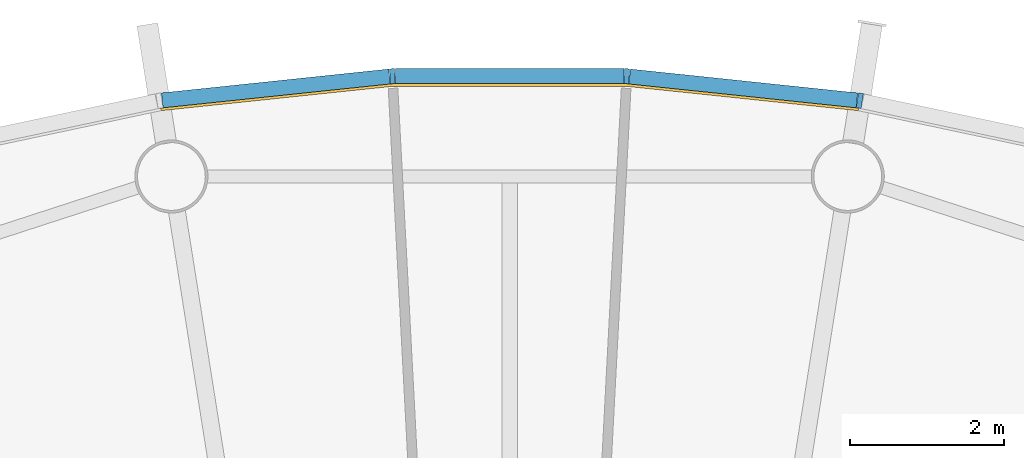
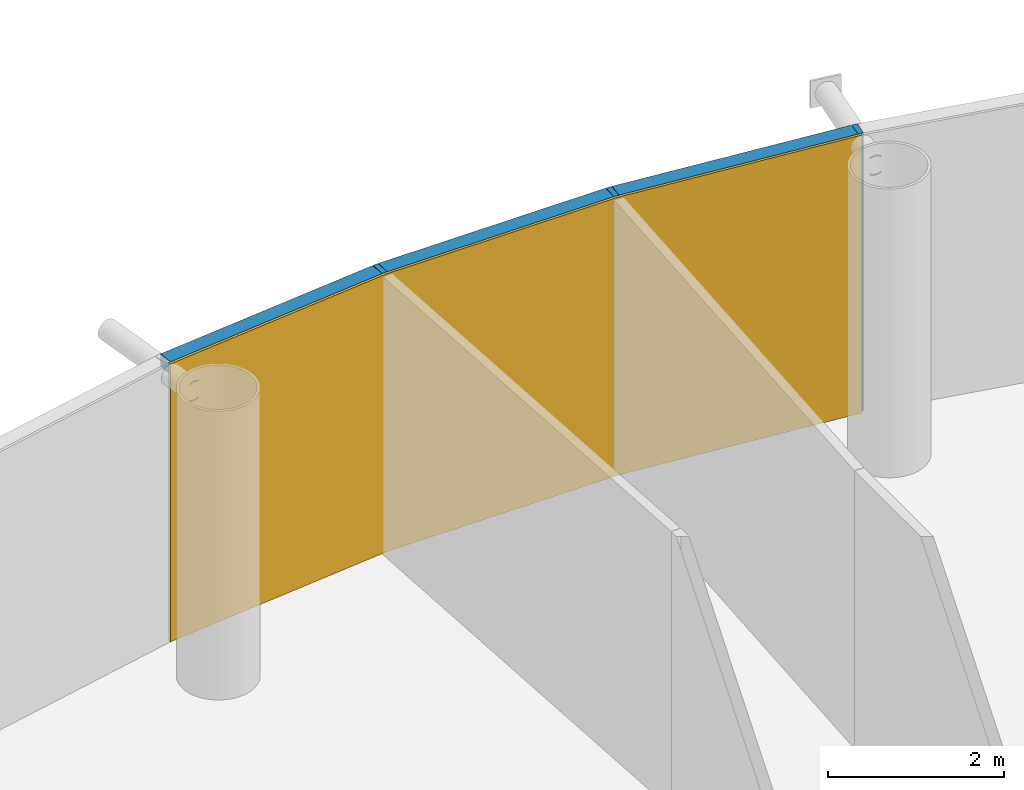
# One storey, part 15 of 17: 6 members, 1 curtain wall.
"""IFC4 building model written with IfcOpenShell, lengths in metres."""

import ifcopenshell
import ifcopenshell.guid

model = None  # the IFC model being written
_history = None  # IfcOwnerHistory: only IFC2X3 demands one
_inside = {}  # id of a spatial element -> (the spatial element, [elements in it])
_under = {}  # id of a project, library or spatial element -> (it, [spatial elements below it])
_declared = {}  # id of a project -> (the project, [libraries it declares])
_typed = {}  # id of a type object -> (the type object, [elements of that type])
_made_of = {}  # id of a material, layer set ... -> (it, [elements and type objects made of it])


def new_model(schema):
    """Start an empty IFC model of exactly this schema.

    Asked for "IFC4X3", IfcOpenShell would pick the latest addendum, in which some entities
    have other attributes; the version numbers below select the first issue.
    IFC2X3 requires an IfcOwnerHistory on every rooted entity: one is made here for all.
    """
    global model, _history
    if schema == "IFC4X3":
        model = ifcopenshell.file(schema_version=(4, 3, 0, 0))
    else:
        model = ifcopenshell.file(schema=schema)
    _inside.clear()
    _under.clear()
    _declared.clear()
    _typed.clear()
    _made_of.clear()
    _history = None
    if model.schema == "IFC2X3":
        org = make("IfcOrganization", Name="unknown")
        user = make(
            "IfcPersonAndOrganization",
            ThePerson=make("IfcPerson", FamilyName="unknown"),
            TheOrganization=org,
        )
        app = make(
            "IfcApplication",
            ApplicationDeveloper=org,
            Version="unknown",
            ApplicationFullName="unknown",
            ApplicationIdentifier="unknown",
        )
        _history = make(
            "IfcOwnerHistory",
            OwningUser=user,
            OwningApplication=app,
            ChangeAction="ADDED",
            CreationDate=0,
        )
    return model


def make(cls, **values):
    """One entity of the class cls with the attributes given. An attribute that is None is left unset."""
    return model.create_entity(
        cls, **{name: value for name, value in values.items() if value is not None}
    )


def rooted(cls, **values):
    """An entity with a GlobalId (a new one), such as an element, a storey or a relation."""
    return make(cls, GlobalId=ifcopenshell.guid.new(), OwnerHistory=_history, **values)


def si_unit(unit_type, name, prefix=None):
    """IfcSIUnit, for example si_unit("LENGTHUNIT", "METRE", prefix="MILLI")."""
    return make("IfcSIUnit", UnitType=unit_type, Prefix=prefix, Name=name)


def assignment(units):
    """IfcUnitAssignment: the units of a project."""
    return None if units is None else make("IfcUnitAssignment", Units=units)


def point(xyz):
    """IfcCartesianPoint."""
    return None if xyz is None else make("IfcCartesianPoint", Coordinates=xyz)


def direction(xyz):
    """IfcDirection."""
    return None if xyz is None else make("IfcDirection", DirectionRatios=xyz)


def frame(location, z_axis=None, x_axis=None):
    """IfcAxis2Placement3D, a coordinate frame: its origin and axes. An axis left out is left unset."""
    return make(
        "IfcAxis2Placement3D",
        Location=point(location),
        Axis=direction(z_axis),
        RefDirection=direction(x_axis),
    )


def frame_2d(location, x_axis=None):
    """IfcAxis2Placement2D, a coordinate frame in the plane: its origin and x axis."""
    return make(
        "IfcAxis2Placement2D", Location=point(location), RefDirection=direction(x_axis)
    )


def origin():
    """The frame at (0, 0, 0) with its axes left unset."""
    return frame((0.0, 0.0, 0.0))


def origin_2d():
    """The frame at (0, 0) in the plane with its x axis left unset."""
    return frame_2d((0.0, 0.0))


def place(relative_to, where):
    """IfcLocalPlacement: puts the frame where relative to a parent placement (None: the world)."""
    return make(
        "IfcLocalPlacement", PlacementRelTo=relative_to, RelativePlacement=where
    )


def context(
    kind, dimensions, precision=None, world=None, true_north=None, identifier=None
):
    """IfcGeometricRepresentationContext, for example the 3D "Model" context."""
    return make(
        "IfcGeometricRepresentationContext",
        ContextIdentifier=identifier,
        ContextType=kind,
        CoordinateSpaceDimension=dimensions,
        Precision=precision,
        WorldCoordinateSystem=world,
        TrueNorth=true_north,
    )


def subcontext(parent, identifier, kind, view, scale=None):
    """IfcGeometricRepresentationSubContext, for example "Body" below "Model"."""
    return make(
        "IfcGeometricRepresentationSubContext",
        ContextIdentifier=identifier,
        ContextType=kind,
        ParentContext=parent,
        TargetScale=scale,
        TargetView=view,
    )


def project(units=None, contexts=None):
    """IfcProject with its units and contexts."""
    return rooted(
        "IfcProject",
        Name="project",
        RepresentationContexts=contexts,
        UnitsInContext=assignment(units),
    )


def spatial(cls, under=None, at=None, **own):
    """A site, building, storey or space (cls), placed at a placement, below another one or the project."""
    s = rooted(cls, ObjectPlacement=at, **own)
    if under is not None:
        _under.setdefault(under.id(), (under, []))[1].append(s)
    return s


def polyline(points):
    """IfcPolyline through the points."""
    return make("IfcPolyline", Points=[point(p) for p in points])


def profile(cls, at=None, kind="AREA", **sizes):
    """A parametric profile (cls). Its sizes go by their IFC names, for example OverallWidth=200.0."""
    return make(cls, ProfileType=kind, Position=at, **sizes)


def rectangle(**sizes):
    """IfcRectangleProfileDef."""
    return profile("IfcRectangleProfileDef", **sizes)


def outline(outer, holes=None, kind="AREA"):
    """IfcArbitraryClosedProfileDef: a profile drawn as a closed curve; with holes, ...WithVoids."""
    if holes is None:
        return make("IfcArbitraryClosedProfileDef", ProfileType=kind, OuterCurve=outer)
    return make(
        "IfcArbitraryProfileDefWithVoids",
        ProfileType=kind,
        OuterCurve=outer,
        InnerCurves=holes,
    )


def extrude(swept, where, along, depth):
    """IfcExtrudedAreaSolid: the profile swept, set in the frame where, extruded along a direction by depth."""
    return make(
        "IfcExtrudedAreaSolid",
        SweptArea=swept,
        Position=where,
        ExtrudedDirection=direction(along),
        Depth=depth,
    )


def shape(context_of_items, identifier, shape_type, items):
    """IfcShapeRepresentation: the items that make up one representation, for example the "Body"."""
    return make(
        "IfcShapeRepresentation",
        ContextOfItems=context_of_items,
        RepresentationIdentifier=identifier,
        RepresentationType=shape_type,
        Items=items,
    )


def material(Name=None, Category=None):
    """IfcMaterial."""
    return make("IfcMaterial", Name=Name, Category=Category)


def layer(
    of_material, thickness, ventilated=None, Name=None, Category=None, Priority=None
):
    """IfcMaterialLayer: one layer of a wall or slab, of a material (None: an air gap)."""
    return make(
        "IfcMaterialLayer",
        Material=of_material,
        LayerThickness=thickness,
        IsVentilated=ventilated,
        Name=Name,
        Category=Category,
        Priority=Priority,
    )


def layer_set(layers, Name=None):
    """IfcMaterialLayerSet."""
    return make("IfcMaterialLayerSet", MaterialLayers=layers, LayerSetName=Name)


def material_profile(
    of_material, cross_section, Name=None, Category=None, Priority=None
):
    """IfcMaterialProfile: a cross section and its material."""
    return make(
        "IfcMaterialProfile",
        Name=Name,
        Material=of_material,
        Profile=cross_section,
        Priority=Priority,
        Category=Category,
    )


def profile_set(profiles, Name=None, composite=None):
    """IfcMaterialProfileSet."""
    return make(
        "IfcMaterialProfileSet",
        Name=Name,
        MaterialProfiles=profiles,
        CompositeProfile=composite,
    )


def made_of(thing, what):
    """Note that an element or type object is made of a material, layer set ...; save() writes the relation."""
    if what is not None:
        _made_of.setdefault(what.id(), (what, []))[1].append(thing)
    return thing


def type_object(cls, material=None, **own):
    """A type object (cls), such as IfcWallType, which elements share."""
    return made_of(rooted(cls, **own), material)


def element(
    cls,
    number,
    at=None,
    inside=None,
    cuts=None,
    type_object=None,
    material=None,
    context=None,
    identifier="Body",
    shape_type=None,
    held_by="IfcProductDefinitionShape",
    body=None,
    shapes=None,
    **own,
):
    """One element of the class cls, such as IfcWall. Its Tag is "e" and its number.

    at: its placement. inside: the storey or other place that contains it. cuts: it is an
    opening in that element (IfcRelVoidsElement). A single representation is given by context,
    identifier, shape_type and body (its items); several are given by shapes. held_by: the class
    of the entity that holds the representations. save() writes the other relations.
    """
    e = rooted(cls, Tag="e%d" % number, ObjectPlacement=at, **own)
    if body is not None:
        shapes = [shape(context, identifier, shape_type, body)]
    if shapes is not None:
        e.Representation = make(held_by, Representations=shapes)
    if inside is not None:
        _inside.setdefault(inside.id(), (inside, []))[1].append(e)
    if cuts is not None:
        rooted(
            "IfcRelVoidsElement", RelatingBuildingElement=cuts, RelatedOpeningElement=e
        )
    if type_object is not None:
        _typed.setdefault(type_object.id(), (type_object, []))[1].append(e)
    return made_of(e, material)


def aggregate(whole, parts):
    """IfcRelAggregates: a whole, such as a stair, and the parts it consists of."""
    return rooted("IfcRelAggregates", RelatingObject=whole, RelatedObjects=parts)


def save(model, path):
    """Write the relations noted so far, then the file.

    IfcRelAggregates (storeys below a building ...), IfcRelContainedInSpatialStructure (elements
    in a storey), IfcRelDefinesByType, IfcRelAssociatesMaterial and IfcRelDeclares: one each for
    every whole, place, type object, material and project.
    """
    for whole, parts in _under.values():
        aggregate(whole, parts)
    for where, things in _inside.values():
        rooted(
            "IfcRelContainedInSpatialStructure",
            RelatedElements=things,
            RelatingStructure=where,
        )
    for kind, things in _typed.values():
        rooted("IfcRelDefinesByType", RelatedObjects=things, RelatingType=kind)
    for what, things in _made_of.values():
        rooted("IfcRelAssociatesMaterial", RelatedObjects=things, RelatingMaterial=what)
    for by, libraries in _declared.values():
        rooted("IfcRelDeclares", RelatingContext=by, RelatedDefinitions=libraries)
    model.write(path)


model = new_model("IFC4")

# Units and contexts
model_context = context("Model", 3, precision=1e-05, world=origin(), true_north=direction((0.0, 1.0)))
body_context = subcontext(model_context, "Body", "Model", "MODEL_VIEW")
ifc_project = project(units=[si_unit("LENGTHUNIT", "METRE"), si_unit("AREAUNIT", "SQUARE_METRE"), si_unit("VOLUMEUNIT", "CUBIC_METRE"), si_unit("PLANEANGLEUNIT", "RADIAN"), si_unit("MASSUNIT", "GRAM", prefix="KILO")], contexts=[model_context])

# Member
ifc_material_1 = material(Name="Anodised aluminium", Category="aluminium")
ifc_material_profile_1 = material_profile(ifc_material_1, rectangle(XDim=0.06494140625, YDim=0.195068359375, at=origin_2d()), Name="Mullion 65 x 195 mm anodised aluminium")
ifc_profile_set_1 = profile_set([ifc_material_profile_1], Name="Anodised aluminium")
member_type_1 = type_object("IfcMemberType", Name="Mullion 65 x 195 mm anodised aluminium", PredefinedType="MULLION", material=ifc_profile_set_1)
site_placement = place(None, origin())
building_placement = place(site_placement, origin())
storey_placement = place(building_placement, frame((0.0, 0.0, 306.0)))
member_1_placement = place(storey_placement, frame((94.5517578125, 108.7392578125, 0.0), z_axis=(0.0, 0.0, 1.0), x_axis=(-0.987688340595, 0.15643446504, 0.0)))
member_1 = element("IfcMember", 1, at=member_1_placement, type_object=member_type_1, Name="MULLION L70-12", PredefinedType="MULLION", context=body_context, shape_type="SweptSolid", body=[
    extrude(rectangle(XDim=0.06494140625, YDim=0.195068359375, at=origin_2d()), origin(), (0.0, 0.0, 1.0), 3.85009765625),
])

member_2_placement = place(storey_placement, frame((91.52294921875, 109.0576171875, 0.0), z_axis=(0.0, 0.0, 1.0), x_axis=(-0.998629534755, 0.052335956243, 0.0)))
member_2 = element("IfcMember", 2, at=member_2_placement, type_object=member_type_1, Name="MULLION L70-13", PredefinedType="MULLION", context=body_context, shape_type="SweptSolid", body=[
    extrude(rectangle(XDim=0.06494140625, YDim=0.195068359375, at=origin_2d()), origin(), (0.0, 0.0, 1.0), 3.85009765625),
])

member_3_placement = place(storey_placement, frame((88.47705078125, 109.0576171875, 0.0), z_axis=(0.0, 0.0, 1.0), x_axis=(-0.998629534755, -0.052335956243, 0.0)))
member_3 = element("IfcMember", 3, at=member_3_placement, type_object=member_type_1, Name="MULLION L70-14", PredefinedType="MULLION", context=body_context, shape_type="SweptSolid", body=[
    extrude(rectangle(XDim=0.06494140625, YDim=0.195068359375, at=origin_2d()), origin(), (0.0, 0.0, 1.0), 3.85009765625),
])

ifc_material_2 = material(Name="Anodised aluminium", Category="aluminium")
ifc_material_profile_2 = material_profile(ifc_material_2, rectangle(XDim=0.195068359375, YDim=0.179931640625, at=origin_2d()), Name="Transom 180 x 195 mm anodised aluminium")
ifc_profile_set_2 = profile_set([ifc_material_profile_2], Name="Anodised aluminium")
member_type_2 = type_object("IfcMemberType", Name="Transom 180 x 195 mm anodised aluminium", PredefinedType="USERDEFINED", material=ifc_profile_set_2)
member_4_placement = place(storey_placement, frame((94.514404296875, 108.743408203125, 3.760009765625), z_axis=(-0.994528397827, 0.104466577987, 0.0), x_axis=(-0.104466577987, -0.994528397827, 0.0)))
member_4 = element("IfcMember", 4, at=member_4_placement, type_object=member_type_2, Name="TRANSOM L70-12", ObjectType="TRANSOM", PredefinedType="USERDEFINED", context=body_context, shape_type="SweptSolid", body=[
    extrude(rectangle(XDim=0.195068359375, YDim=0.179931640625, at=origin_2d()), origin(), (0.0, 0.0, 1.0), 2.970458984375),
])

member_5_placement = place(storey_placement, frame((91.4853515625, 109.057861328125, 3.760009765625), z_axis=(-1.0, 0.0, 0.0), x_axis=(0.0, -1.0, 0.0)))
member_5 = element("IfcMember", 5, at=member_5_placement, type_object=member_type_2, Name="TRANSOM L70-13", ObjectType="TRANSOM", PredefinedType="USERDEFINED", context=body_context, shape_type="SweptSolid", body=[
    extrude(rectangle(XDim=0.195068359375, YDim=0.179931640625, at=origin_2d()), origin(), (0.0, 0.0, 1.0), 2.970703125),
])

member_6_placement = place(storey_placement, frame((88.439697265625, 109.0537109375, 3.760009765625), z_axis=(-0.994528397827, -0.104466577987, 0.0), x_axis=(0.104466577987, -0.994528397827, 0.0)))
member_6 = element("IfcMember", 6, at=member_6_placement, type_object=member_type_2, Name="TRANSOM L70-14", ObjectType="TRANSOM", PredefinedType="USERDEFINED", context=body_context, shape_type="SweptSolid", body=[
    extrude(rectangle(XDim=0.195068359375, YDim=0.179931640625, at=origin_2d()), origin(), (0.0, 0.0, 1.0), 2.970458984375),
])

# Site, building, storey
site = spatial("IfcSite", under=ifc_project, at=site_placement, CompositionType="ELEMENT")
building = spatial("IfcBuilding", under=site, at=building_placement, Name="Entoto Ring Tower", CompositionType="ELEMENT")
storey = spatial("IfcBuildingStorey", under=building, at=storey_placement, Name="L70", CompositionType="ELEMENT", Elevation=306.0)

# Curtain wall
ifc_material_3 = material(Name="Clear low-iron glass", Category="glass")
ifc_layer = layer(ifc_material_3, 0.033935546875)
ifc_layer_set = layer_set([ifc_layer], Name="Clear low-iron glass")
curtain_wall_type = type_object("IfcCurtainWallType", Name="Curtain wall system CW5 glazing 34 mm", PredefinedType="NOTDEFINED", material=ifc_layer_set)
curtain_wall_placement = place(storey_placement, origin())
curtain_wall = element("IfcCurtainWall", 7, at=curtain_wall_placement, inside=storey, type_object=curtain_wall_type, Name="CW5 L70-05", PredefinedType="NOTDEFINED", context=body_context, shape_type="SweptSolid", body=[
    extrude(outline(polyline([(94.53662109375, 108.64306640625), (91.517822265625, 108.960205078125), (88.482177734375, 108.960205078125), (85.46337890625, 108.64306640625), (85.46875, 108.609375), (88.484130859375, 108.92626953125), (91.515869140625, 108.92626953125), (94.53125, 108.609375), (94.53662109375, 108.64306640625)])), origin(), (0.0, 0.0, 1.0), 3.85009765625),
])

aggregate(curtain_wall, [member_1, member_2, member_3, member_4, member_5, member_6])

save(model, "model.ifc")
